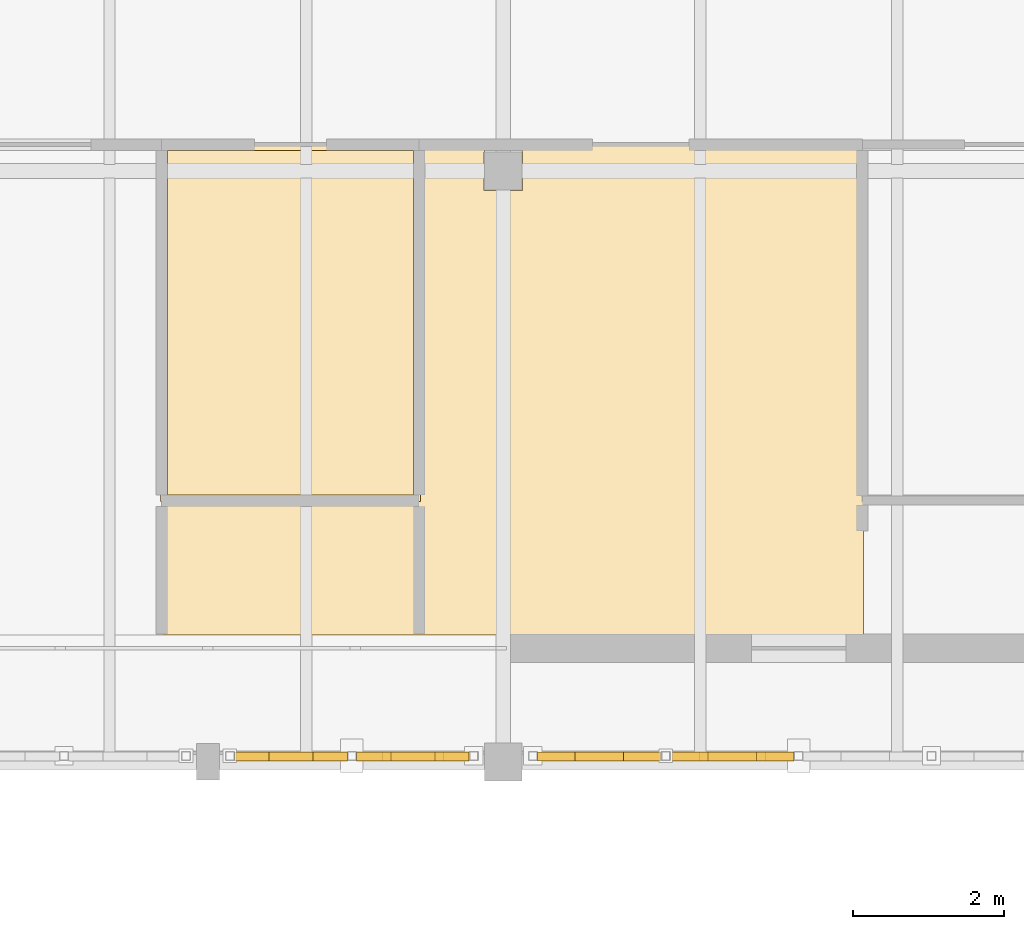
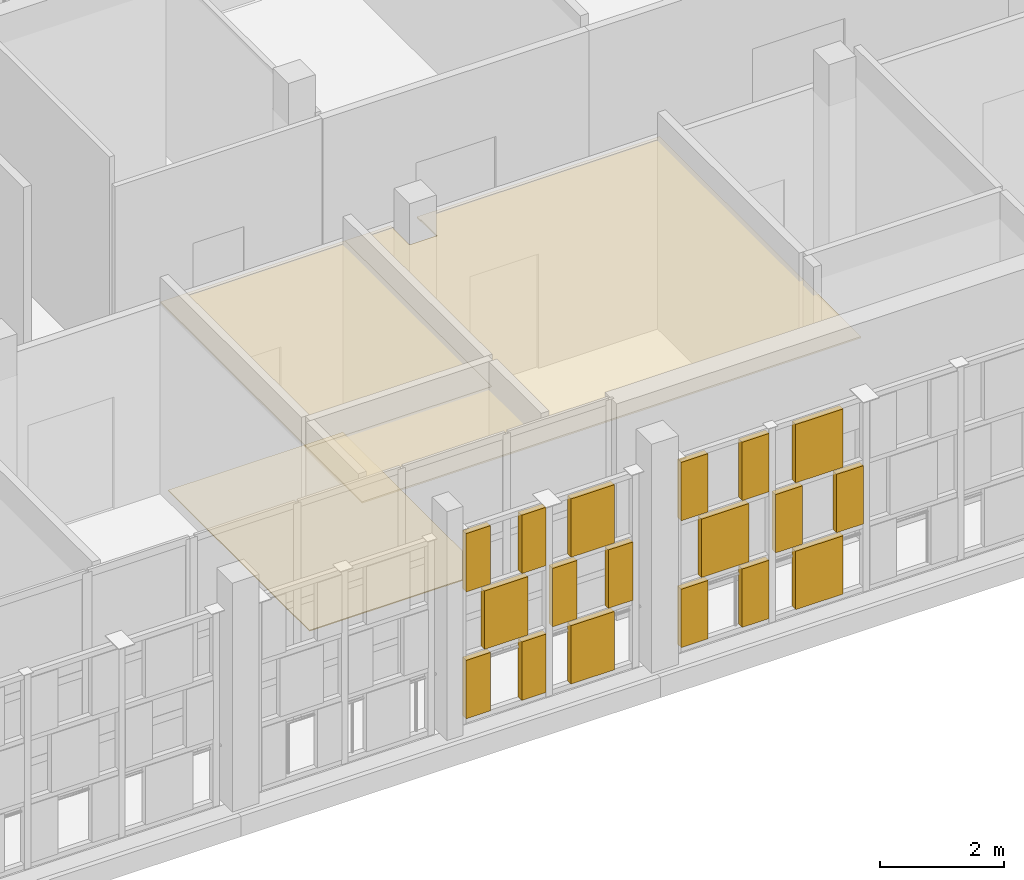
# One storey, part 84 of 89: 21 coverings.
"""IFC4 building model written with IfcOpenShell, lengths in metres."""

from ifc_helpers import new_model, si_unit, direction, frame, origin, origin_2d, place, context, subcontext, project, spatial, polyline, rectangle, outline, extrude, material, layer, layer_set, type_object, element, save


model = new_model("IFC4")

# Units and contexts
model_context = context("Model", 3, precision=1e-05, world=origin(), true_north=direction((0.0, 1.0)))
body_context = subcontext(model_context, "Body", "Model", "MODEL_VIEW")
ifc_project = project(units=[si_unit("LENGTHUNIT", "METRE"), si_unit("AREAUNIT", "SQUARE_METRE"), si_unit("VOLUMEUNIT", "CUBIC_METRE"), si_unit("PLANEANGLEUNIT", "RADIAN"), si_unit("MASSUNIT", "GRAM", prefix="KILO")], contexts=[model_context])

# Site, building, storey
site_placement = place(None, origin())
site = spatial("IfcSite", under=ifc_project, at=site_placement, CompositionType="ELEMENT")
building_placement = place(site_placement, origin())
building = spatial("IfcBuilding", under=site, at=building_placement, Name="Celorna Specialist Clinic", CompositionType="ELEMENT")
storey_placement = place(building_placement, frame((0.0, 0.0, 14.10009765625)))
storey = spatial("IfcBuildingStorey", under=building, at=storey_placement, Name="L03", CompositionType="ELEMENT", Elevation=14.10009765625)

# Coverings
ifc_material_1 = material(Name="Hygienic acoustic mineral-fibre ceiling")
ifc_layer_1 = layer(ifc_material_1, 0.030029296875, Name="Hygienic acoustic mineral-fibre ceiling")
ifc_layer_set_1 = layer_set([ifc_layer_1], Name="Hygienic acoustic mineral-fibre ceiling")
covering_type_1 = type_object("IfcCoveringType", Name="CE-01", PredefinedType="CEILING", material=ifc_layer_set_1)
covering_1_placement = place(storey_placement, frame((0.0, 0.0, 3.669921875)))
element("IfcCovering", 1, at=covering_1_placement, inside=storey, type_object=covering_type_1, Name="Acoustic ceiling L03-018", PredefinedType="CEILING", context=body_context, shape_type="SweptSolid", body=[
    extrude(outline(polyline([(84.705078125, 104.6650390625), (84.705078125, 99.93505859375), (81.27490234375, 99.93505859375), (81.27490234375, 104.6650390625), (84.705078125, 104.6650390625)])), origin(), (0.0, 0.0, 1.0), 0.030029296875),
])
covering_2_placement = place(storey_placement, frame((0.0, 0.0, 3.669921875)))
element("IfcCovering", 2, at=covering_2_placement, inside=storey, type_object=covering_type_1, Name="Acoustic ceiling L03-019", PredefinedType="CEILING", context=body_context, shape_type="SweptSolid", body=[
    extrude(outline(polyline([(84.675048828125, 104.6650390625), (85.554931640625, 104.6650390625), (85.554931640625, 104.554931640625), (85.544921875, 104.554931640625), (85.544921875, 104.044921875), (86.054931640625, 104.044921875), (86.054931640625, 104.554931640625), (86.044921875, 104.554931640625), (86.044921875, 104.6650390625), (90.554931640625, 104.6650390625), (90.554931640625, 98.175048828125), (81.27490234375, 98.175048828125), (81.27490234375, 99.965087890625), (84.675048828125, 99.965087890625), (84.675048828125, 104.6650390625)])), origin(), (0.0, 0.0, 1.0), 0.030029296875),
])
ifc_material_2 = material(Name="Perforated terracotta brick weave cladding", Category="masonry")
ifc_layer_2 = layer(ifc_material_2, 0.114990234375, Name="Perforated terracotta brick weave cladding")
ifc_layer_set_2 = layer_set([ifc_layer_2], Name="Perforated terracotta brick weave cladding")
covering_type_2 = type_object("IfcCoveringType", Name="CL-02", PredefinedType="CLADDING", material=ifc_layer_set_2)
for number, where, z_axis, x_axis, name in (
    (3, (82.477294921875, 96.570068359375, 0.10009765625), (0.0, 0.0, 1.0), (1.0, 0.0, 0.0), "Woven perforated terracotta brick course #1139"),
    (4, (83.5126953125, 96.570068359375, 0.10009765625), (0.0, 0.0, 1.0), (1.0, 0.0, 0.0), "Woven perforated terracotta brick course #1140"),
):
    element("IfcCovering", number, at=place(storey_placement, frame(where, z_axis=z_axis, x_axis=x_axis)), inside=storey, type_object=covering_type_2, Name=name, PredefinedType="CLADDING", context=body_context, shape_type="SweptSolid", body=[
        extrude(rectangle(XDim=0.454345703125, YDim=0.114990234375, at=origin_2d()), origin(), (0.0, 0.0, 1.0), 1.146728515625),
    ])
covering_3_placement = place(storey_placement, frame((82.9951171875, 96.570068359375, 1.3466796875), z_axis=(0.0, 0.0, 1.0), x_axis=(1.0, 0.0, 0.0)))
element("IfcCovering", 5, at=covering_3_placement, inside=storey, type_object=covering_type_2, Name="Woven perforated terracotta brick course #1141", PredefinedType="CLADDING", context=body_context, shape_type="SweptSolid", body=[
    extrude(rectangle(XDim=0.8046875, YDim=0.114990234375, at=origin_2d()), origin(), (0.0, 0.0, 1.0), 1.146484375),
])
for number, where, z_axis, x_axis, name in (
    (6, (82.477294921875, 96.570068359375, 2.59326171875), (0.0, 0.0, 1.0), (1.0, 0.0, 0.0), "Woven perforated terracotta brick course #1142"),
    (7, (83.5126953125, 96.570068359375, 2.59326171875), (0.0, 0.0, 1.0), (1.0, 0.0, 0.0), "Woven perforated terracotta brick course #1143"),
):
    element("IfcCovering", number, at=place(storey_placement, frame(where, z_axis=z_axis, x_axis=x_axis)), inside=storey, type_object=covering_type_2, Name=name, PredefinedType="CLADDING", context=body_context, shape_type="SweptSolid", body=[
        extrude(rectangle(XDim=0.454345703125, YDim=0.114990234375, at=origin_2d()), origin(), (0.0, 0.0, 1.0), 1.146728515625),
    ])
covering_4_placement = place(storey_placement, frame((84.60498046875, 96.570068359375, 0.10009765625), z_axis=(0.0, 0.0, 1.0), x_axis=(1.0, 0.0, 0.0)))
element("IfcCovering", 8, at=covering_4_placement, inside=storey, type_object=covering_type_2, Name="Woven perforated terracotta brick course #1144", PredefinedType="CLADDING", context=body_context, shape_type="SweptSolid", body=[
    extrude(rectangle(XDim=0.8046875, YDim=0.114990234375, at=origin_2d()), origin(), (0.0, 0.0, 1.0), 1.146728515625),
])
for number, where, z_axis, x_axis, name in (
    (9, (84.087158203125, 96.570068359375, 1.3466796875), (0.0, 0.0, 1.0), (1.0, 0.0, 0.0), "Woven perforated terracotta brick course #1145"),
    (10, (85.122802734375, 96.570068359375, 1.3466796875), (0.0, 0.0, 1.0), (1.0, 0.0, 0.0), "Woven perforated terracotta brick course #1146"),
):
    element("IfcCovering", number, at=place(storey_placement, frame(where, z_axis=z_axis, x_axis=x_axis)), inside=storey, type_object=covering_type_2, Name=name, PredefinedType="CLADDING", context=body_context, shape_type="SweptSolid", body=[
        extrude(rectangle(XDim=0.454345703125, YDim=0.114990234375, at=origin_2d()), origin(), (0.0, 0.0, 1.0), 1.146484375),
    ])
covering_5_placement = place(storey_placement, frame((84.60498046875, 96.570068359375, 2.59326171875), z_axis=(0.0, 0.0, 1.0), x_axis=(1.0, 0.0, 0.0)))
element("IfcCovering", 11, at=covering_5_placement, inside=storey, type_object=covering_type_2, Name="Woven perforated terracotta brick course #1147", PredefinedType="CLADDING", context=body_context, shape_type="SweptSolid", body=[
    extrude(rectangle(XDim=0.8046875, YDim=0.114990234375, at=origin_2d()), origin(), (0.0, 0.0, 1.0), 1.146728515625),
])
for number, where, z_axis, x_axis, name in (
    (12, (86.499267578125, 96.570068359375, 0.10009765625), (0.0, 0.0, 1.0), (1.0, 0.0, 0.0), "Woven perforated terracotta brick course #1148"),
    (13, (87.635498046875, 96.570068359375, 0.10009765625), (0.0, 0.0, 1.0), (1.0, 0.0, 0.0), "Woven perforated terracotta brick course #1149"),
):
    element("IfcCovering", number, at=place(storey_placement, frame(where, z_axis=z_axis, x_axis=x_axis)), inside=storey, type_object=covering_type_2, Name=name, PredefinedType="CLADDING", context=body_context, shape_type="SweptSolid", body=[
        extrude(rectangle(XDim=0.498779296875, YDim=0.114990234375, at=origin_2d()), origin(), (0.0, 0.0, 1.0), 1.146728515625),
    ])
covering_6_placement = place(storey_placement, frame((87.0673828125, 96.570068359375, 1.3466796875), z_axis=(0.0, 0.0, 1.0), x_axis=(1.0, 0.0, 0.0)))
element("IfcCovering", 14, at=covering_6_placement, inside=storey, type_object=covering_type_2, Name="Woven perforated terracotta brick course #1150", PredefinedType="CLADDING", context=body_context, shape_type="SweptSolid", body=[
    extrude(rectangle(XDim=0.8828125, YDim=0.114990234375, at=origin_2d()), origin(), (0.0, 0.0, 1.0), 1.146484375),
])
for number, where, z_axis, x_axis, name in (
    (15, (86.499267578125, 96.570068359375, 2.59326171875), (0.0, 0.0, 1.0), (1.0, 0.0, 0.0), "Woven perforated terracotta brick course #1151"),
    (16, (87.635498046875, 96.570068359375, 2.59326171875), (0.0, 0.0, 1.0), (1.0, 0.0, 0.0), "Woven perforated terracotta brick course #1152"),
):
    element("IfcCovering", number, at=place(storey_placement, frame(where, z_axis=z_axis, x_axis=x_axis)), inside=storey, type_object=covering_type_2, Name=name, PredefinedType="CLADDING", context=body_context, shape_type="SweptSolid", body=[
        extrude(rectangle(XDim=0.498779296875, YDim=0.114990234375, at=origin_2d()), origin(), (0.0, 0.0, 1.0), 1.146728515625),
    ])
covering_7_placement = place(storey_placement, frame((88.822509765625, 96.570068359375, 0.10009765625), z_axis=(0.0, 0.0, 1.0), x_axis=(1.0, 0.0, 0.0)))
element("IfcCovering", 17, at=covering_7_placement, inside=storey, type_object=covering_type_2, Name="Woven perforated terracotta brick course #1153", PredefinedType="CLADDING", context=body_context, shape_type="SweptSolid", body=[
    extrude(rectangle(XDim=0.8828125, YDim=0.114990234375, at=origin_2d()), origin(), (0.0, 0.0, 1.0), 1.146728515625),
])
for number, where, z_axis, x_axis, name in (
    (18, (88.25439453125, 96.570068359375, 1.3466796875), (0.0, 0.0, 1.0), (1.0, 0.0, 0.0), "Woven perforated terracotta brick course #1154"),
    (19, (89.390625, 96.570068359375, 1.3466796875), (0.0, 0.0, 1.0), (1.0, 0.0, 0.0), "Woven perforated terracotta brick course #1155"),
):
    element("IfcCovering", number, at=place(storey_placement, frame(where, z_axis=z_axis, x_axis=x_axis)), inside=storey, type_object=covering_type_2, Name=name, PredefinedType="CLADDING", context=body_context, shape_type="SweptSolid", body=[
        extrude(rectangle(XDim=0.498779296875, YDim=0.114990234375, at=origin_2d()), origin(), (0.0, 0.0, 1.0), 1.146484375),
    ])
covering_8_placement = place(storey_placement, frame((88.822509765625, 96.570068359375, 2.59326171875), z_axis=(0.0, 0.0, 1.0), x_axis=(1.0, 0.0, 0.0)))
element("IfcCovering", 20, at=covering_8_placement, inside=storey, type_object=covering_type_2, Name="Woven perforated terracotta brick course #1156", PredefinedType="CLADDING", context=body_context, shape_type="SweptSolid", body=[
    extrude(rectangle(XDim=0.8828125, YDim=0.114990234375, at=origin_2d()), origin(), (0.0, 0.0, 1.0), 1.146728515625),
])
ifc_material_3 = material(Name="Seamless antimicrobial clinical vinyl and Lioz terrazzo flooring")
ifc_layer_3 = layer(ifc_material_3, 0.02001953125, Name="Seamless antimicrobial clinical vinyl and Lioz terrazzo flooring")
ifc_layer_set_3 = layer_set([ifc_layer_3], Name="Seamless antimicrobial clinical vinyl and Lioz terrazzo flooring")
covering_type_3 = type_object("IfcCoveringType", Name="FL-01", PredefinedType="FLOORING", material=ifc_layer_set_3)
covering_9_placement = place(storey_placement, origin())
element("IfcCovering", 21, at=covering_9_placement, inside=storey, type_object=covering_type_3, Name="Antimicrobial clinical flooring L03-018", PredefinedType="FLOORING", context=body_context, shape_type="SweptSolid", body=[
    extrude(outline(polyline([(81.364990234375, 104.574951171875), (84.614990234375, 104.574951171875), (84.614990234375, 100.02490234375), (81.364990234375, 100.02490234375), (81.364990234375, 104.574951171875)])), origin(), (0.0, 0.0, 1.0), 0.02001953125),
])

save(model, "model.ifc")
